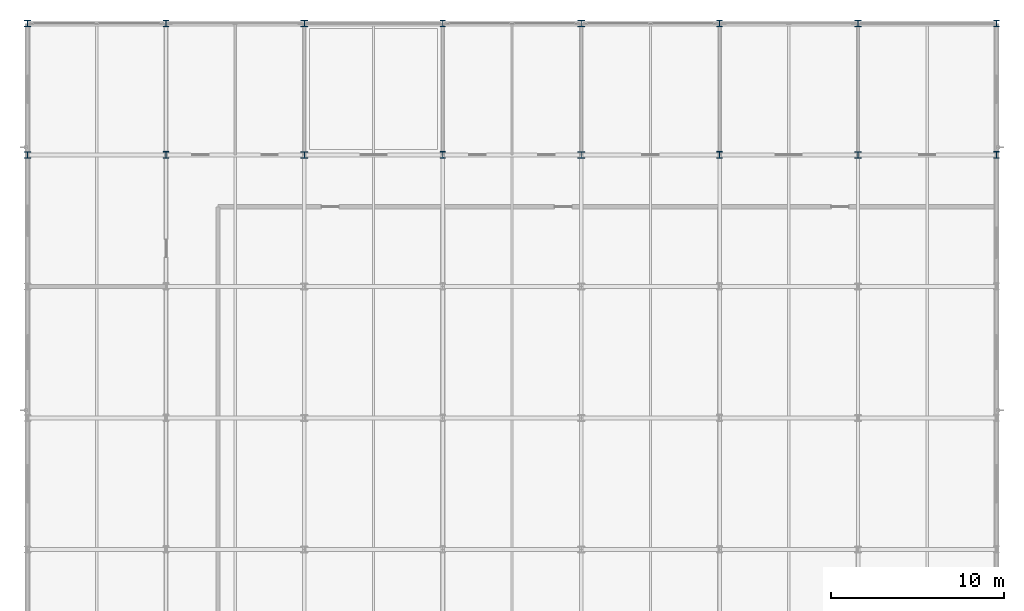
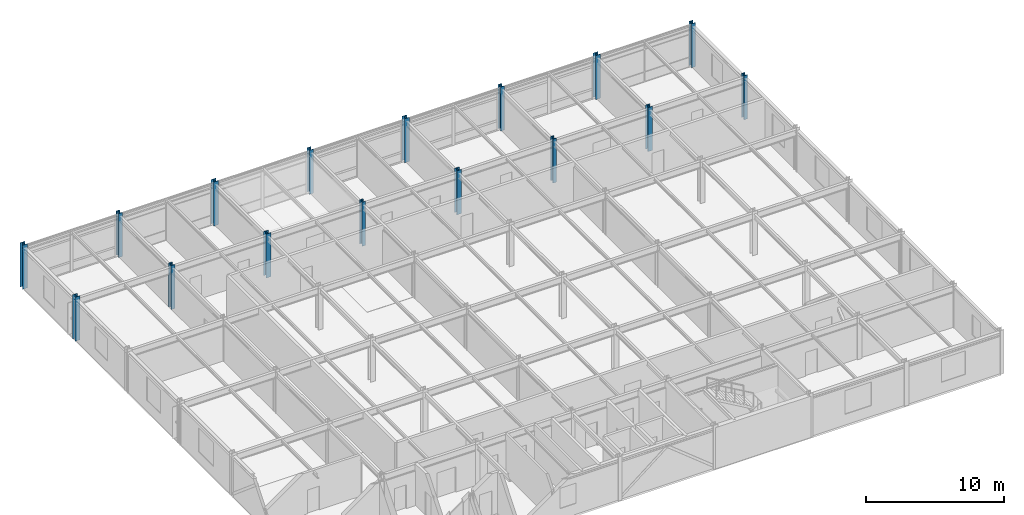
# One storey, part 3 of 18: 16 columns.
"""IFC4 building model written with IfcOpenShell, lengths in metres."""

from ifc_helpers import new_model, si_unit, direction, frame, origin, origin_2d, place, context, subcontext, project, spatial, i_section, extrude, material, material_profile, profile_set, type_object, element, save


model = new_model("IFC4")

# Units and contexts
model_context = context("Model", 3, precision=1e-05, world=origin(), true_north=direction((0.0, 1.0)))
body_context = subcontext(model_context, "Body", "Model", "MODEL_VIEW")
ifc_project = project(units=[si_unit("LENGTHUNIT", "METRE"), si_unit("AREAUNIT", "SQUARE_METRE"), si_unit("VOLUMEUNIT", "CUBIC_METRE"), si_unit("PLANEANGLEUNIT", "RADIAN"), si_unit("MASSUNIT", "GRAM", prefix="KILO")], contexts=[model_context])

# Site, building, storey
site_placement = place(None, origin())
site = spatial("IfcSite", under=ifc_project, at=site_placement, CompositionType="ELEMENT")
building_placement = place(site_placement, origin())
building = spatial("IfcBuilding", under=site, at=building_placement, Name="Shalkamar Park Central Library", CompositionType="ELEMENT")
storey_placement = place(building_placement, frame((0.0, 0.0, 24.300048828125)))
storey = spatial("IfcBuildingStorey", under=building, at=storey_placement, Name="L06", CompositionType="ELEMENT", Elevation=24.300048828125)

# Columns
ifc_material = material(Name="Steel S355", Category="steel")
ifc_material_profile_1 = material_profile(ifc_material, i_section(OverallWidth=0.39794921875, OverallDepth=0.386962890625, WebThickness=0.02099609375, FlangeThickness=0.033203125, FilletRadius=0.014892578125, at=origin_2d()), Name="HD 400x262")
ifc_profile_set_1 = profile_set([ifc_material_profile_1], Name="Steel S355")
column_type_1 = type_object("IfcColumnType", Name="Column Steel HD400x262", PredefinedType="COLUMN", material=ifc_profile_set_1)
for number, where, z_axis, x_axis, name in (
    (1, (165.0, 285.60009765625, 0.0), (0.0, 0.0, 1.0), (1.0, 0.0, 0.0), "Column 07/G (L06)"),
    (2, (165.0, 293.199951171875, 0.0), (0.0, 0.0, 1.0), (1.0, 0.0, 0.0), "Column 07/H (L06)"),
    (3, (181.0, 285.60009765625, 0.0), (0.0, 0.0, 1.0), (1.0, 0.0, 0.0), "Column 09/G (L06)"),
    (4, (181.0, 293.199951171875, 0.0), (0.0, 0.0, 1.0), (1.0, 0.0, 0.0), "Column 09/H (L06)"),
    (5, (197.0, 285.60009765625, 0.0), (0.0, 0.0, 1.0), (1.0, 0.0, 0.0), "Column 11/G (L06)"),
    (6, (197.0, 293.199951171875, 0.0), (0.0, 0.0, 1.0), (1.0, 0.0, 0.0), "Column 11/H (L06)"),
    (7, (213.0, 285.60009765625, 0.0), (0.0, 0.0, 1.0), (1.0, 0.0, 0.0), "Column 13/G (L06)"),
    (8, (213.0, 293.199951171875, 0.0), (0.0, 0.0, 1.0), (1.0, 0.0, 0.0), "Column 13/H (L06)"),
):
    element("IfcColumn", number, at=place(storey_placement, frame(where, z_axis=z_axis, x_axis=x_axis)), inside=storey, type_object=column_type_1, Name=name, PredefinedType="COLUMN", context=body_context, shape_type="SweptSolid", body=[
        extrude(i_section(OverallWidth=0.39794921875, OverallDepth=0.386962890625, WebThickness=0.02099609375, FlangeThickness=0.033203125, FilletRadius=0.014892578125, at=origin_2d()), origin(), (0.0, 0.0, 1.0), 3.89990234375),
    ])
ifc_material_profile_2 = material_profile(ifc_material, i_section(OverallWidth=0.30810546875, OverallDepth=0.39501953125, WebThickness=0.02099609375, FlangeThickness=0.0400390625, FilletRadius=0.027099609375, at=origin_2d()), Name="HEM 360")
ifc_profile_set_2 = profile_set([ifc_material_profile_2], Name="Steel S355")
column_type_2 = type_object("IfcColumnType", Name="Column Steel HEM360", PredefinedType="COLUMN", material=ifc_profile_set_2)
for number, where, z_axis, x_axis, name in (
    (9, (173.0, 285.60009765625, 0.0), (0.0, 0.0, 1.0), (1.0, 0.0, 0.0), "Column 08/G (L06)"),
    (10, (173.0, 293.199951171875, 0.0), (0.0, 0.0, 1.0), (1.0, 0.0, 0.0), "Column 08/H (L06)"),
    (11, (189.0, 285.60009765625, 0.0), (0.0, 0.0, 1.0), (1.0, 0.0, 0.0), "Column 10/G (L06)"),
    (12, (189.0, 293.199951171875, 0.0), (0.0, 0.0, 1.0), (1.0, 0.0, 0.0), "Column 10/H (L06)"),
    (13, (205.0, 285.60009765625, 0.0), (0.0, 0.0, 1.0), (1.0, 0.0, 0.0), "Column 12/G (L06)"),
    (14, (205.0, 293.199951171875, 0.0), (0.0, 0.0, 1.0), (1.0, 0.0, 0.0), "Column 12/H (L06)"),
    (15, (221.0, 285.60009765625, 0.0), (0.0, 0.0, 1.0), (1.0, 0.0, 0.0), "Column 14/G (L06)"),
    (16, (221.0, 293.199951171875, 0.0), (0.0, 0.0, 1.0), (1.0, 0.0, 0.0), "Column 14/H (L06)"),
):
    element("IfcColumn", number, at=place(storey_placement, frame(where, z_axis=z_axis, x_axis=x_axis)), inside=storey, type_object=column_type_2, Name=name, PredefinedType="COLUMN", context=body_context, shape_type="SweptSolid", body=[
        extrude(i_section(OverallWidth=0.30810546875, OverallDepth=0.39501953125, WebThickness=0.02099609375, FlangeThickness=0.0400390625, FilletRadius=0.027099609375, at=origin_2d()), origin(), (0.0, 0.0, 1.0), 3.89990234375),
    ])

save(model, "model.ifc")
